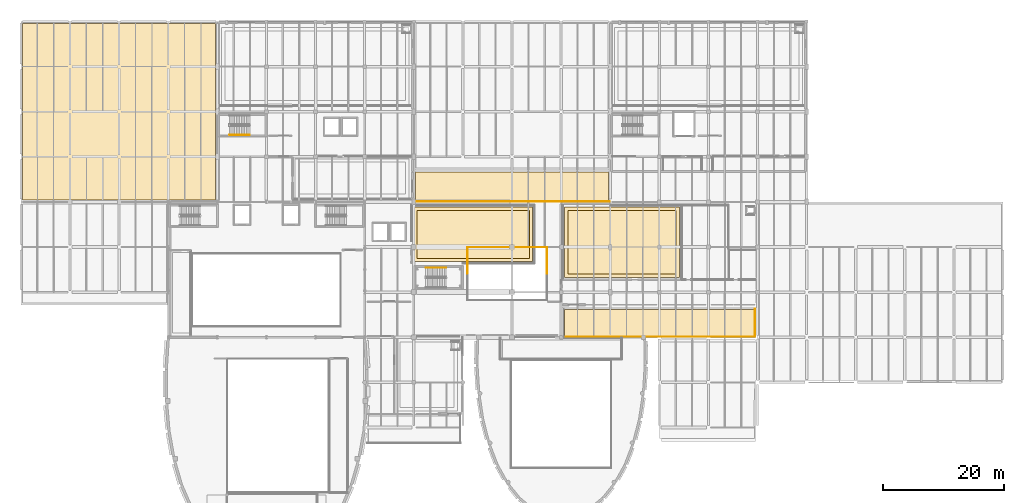
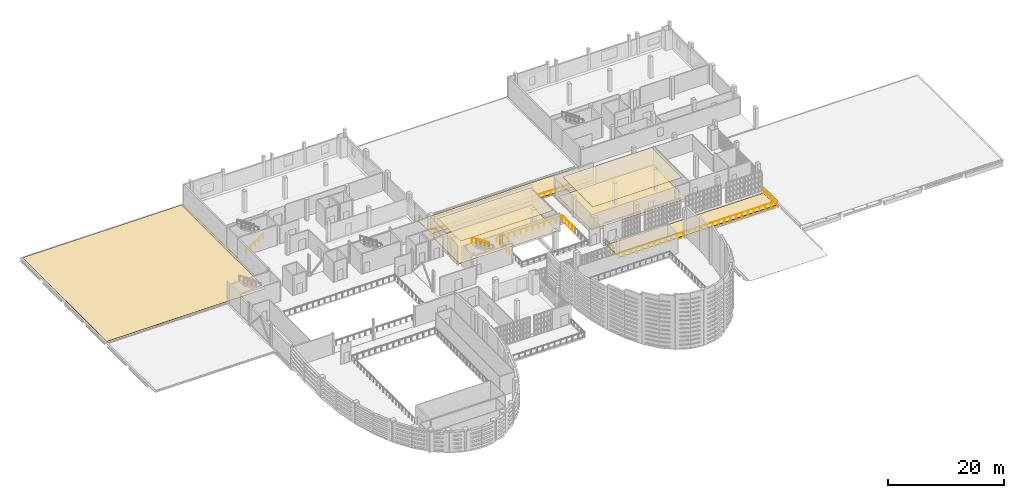
# One storey, part 69 of 73: 7 coverings, 6 railings.
"""IFC4 building model written with IfcOpenShell, lengths in metres."""

from ifc_helpers import new_model, si_unit, direction, frame, origin, origin_2d, place, context, subcontext, project, spatial, polyline, circle, outline, extrude, material, layer, layer_set, type_object, element, save


model = new_model("IFC4")

# Units and contexts
model_context = context("Model", 3, precision=1e-05, world=origin(), true_north=direction((0.0, 1.0)))
body_context = subcontext(model_context, "Body", "Model", "MODEL_VIEW")
ifc_project = project(units=[si_unit("LENGTHUNIT", "METRE"), si_unit("AREAUNIT", "SQUARE_METRE"), si_unit("VOLUMEUNIT", "CUBIC_METRE"), si_unit("PLANEANGLEUNIT", "RADIAN"), si_unit("MASSUNIT", "GRAM", prefix="KILO")], contexts=[model_context])

# Site, building, storey
site_placement = place(None, origin())
site = spatial("IfcSite", under=ifc_project, at=site_placement, CompositionType="ELEMENT")
building_placement = place(site_placement, origin())
building = spatial("IfcBuilding", under=site, at=building_placement, Name="Kaelora Sail Theatre", CompositionType="ELEMENT")
storey_placement = place(building_placement, frame((0.0, 0.0, 10.199951171875)))
storey = spatial("IfcBuildingStorey", under=building, at=storey_placement, Name="L02", CompositionType="ELEMENT", Elevation=10.199951171875)

# Coverings
ifc_material_1 = material(Name="Micro-perforated timber acoustic reflector", Category="wood")
ifc_layer_1 = layer(ifc_material_1, 0.050048828125)
ifc_layer_set_1 = layer_set([ifc_layer_1], Name="Micro-perforated timber acoustic reflector")
covering_type_1 = type_object("IfcCoveringType", Name="ARC-COV-CLG-AC-50", PredefinedType="CEILING", material=ifc_layer_set_1)
covering_1_placement = place(storey_placement, frame((0.0, 0.0, 4.255126953125)))
element("IfcCovering", 1, at=covering_1_placement, inside=storey, type_object=covering_type_1, Name="Acoustic ceiling L02-FOY-BAR", PredefinedType="CEILING", context=body_context, shape_type="SweptSolid", body=[
    extrude(outline(polyline([(91.75, 71.449951171875), (109.550048828125, 71.449951171875), (109.550048828125, 81.949951171875), (91.75, 81.949951171875), (91.75, 71.449951171875)])), origin(), (0.0, 0.0, 1.0), 0.0498046875),
])
ifc_material_2 = material(Name="Suspended acoustic mineral-fibre ceiling", Category="gypsum")
ifc_layer_2 = layer(ifc_material_2, 0.034912109375)
ifc_layer_set_2 = layer_set([ifc_layer_2], Name="Suspended acoustic mineral-fibre ceiling")
covering_type_2 = type_object("IfcCoveringType", Name="ARC-COV-CLG-GYP-35", PredefinedType="CEILING", material=ifc_layer_set_2)
covering_2_placement = place(storey_placement, frame((0.0, 0.0, 4.215087890625)))
element("IfcCovering", 2, at=covering_2_placement, inside=storey, type_object=covering_type_2, Name="Acoustic ceiling L02-FOY-SALON", PredefinedType="CEILING", context=body_context, shape_type="SweptSolid", body=[
    extrude(outline(polyline([(66.85009765625, 74.050048828125), (85.35009765625, 74.050048828125), (85.35009765625, 81.949951171875), (66.85009765625, 81.949951171875), (66.85009765625, 74.050048828125)])), origin(), (0.0, 0.0, 1.0), 0.034912109375),
])
ifc_material_3 = material(Name="Polished basalt-terrazzo foyer flooring", Category="masonry")
ifc_layer_3 = layer(ifc_material_3, 0.031982421875)
ifc_layer_set_3 = layer_set([ifc_layer_3], Name="Polished basalt-terrazzo foyer flooring")
covering_type_3 = type_object("IfcCoveringType", Name="ARC-COV-FLR-TRZ-32", PredefinedType="FLOORING", material=ifc_layer_set_3)
covering_3_placement = place(storey_placement, origin())
element("IfcCovering", 3, at=covering_3_placement, inside=storey, type_object=covering_type_3, Name="Architectural flooring L02-FOY-SALON", PredefinedType="FLOORING", context=body_context, shape_type="SweptSolid", body=[
    extrude(outline(polyline([(66.300048828125, 73.5), (85.89990234375, 73.5), (85.89990234375, 82.5), (66.300048828125, 82.5), (66.300048828125, 73.5)])), origin(), (0.0, 0.0, 1.0), 0.031982421875),
])
covering_4_placement = place(storey_placement, origin())
element("IfcCovering", 4, at=covering_4_placement, inside=storey, type_object=covering_type_3, Name="Architectural flooring L02-FOY-BAR", PredefinedType="FLOORING", context=body_context, shape_type="SweptSolid", body=[
    extrude(outline(polyline([(91.199951171875, 70.89990234375), (110.10009765625, 70.89990234375), (110.10009765625, 82.5), (91.199951171875, 82.5), (91.199951171875, 70.89990234375)])), origin(), (0.0, 0.0, 1.0), 0.031982421875),
])
ifc_material_4 = material(Name="Planted roof garden and green foliage terrace bed", Category="earth")
ifc_layer_4 = layer(ifc_material_4, 0.1201171875)
ifc_layer_set_4 = layer_set([ifc_layer_4], Name="Planted roof garden and green foliage terrace bed")
covering_type_4 = type_object("IfcCoveringType", Name="ARC-COV-GRN", PredefinedType="ROOFING", material=ifc_layer_set_4)
covering_5_placement = place(storey_placement, origin())
element("IfcCovering", 5, at=covering_5_placement, inside=storey, type_object=covering_type_4, Name="Second Step East Interval Bar Planted Terrace Planted Garden Bed", PredefinedType="ROOFING", context=body_context, shape_type="SweptSolid", body=[
    extrude(outline(polyline([(91.199951171875, 61.284912109375), (122.39990234375, 61.284912109375), (122.39990234375, 65.56494140625), (91.199951171875, 65.56494140625), (91.199951171875, 61.284912109375)])), origin(), (0.0, 0.0, 1.0), 0.1201171875),
])
covering_6_placement = place(storey_placement, origin())
element("IfcCovering", 6, at=covering_6_placement, inside=storey, type_object=covering_type_4, Name="Third Step Central Courtyard Amphitheatre Roof Garden Planted Garden Bed", PredefinedType="ROOFING", context=body_context, shape_type="SweptSolid", body=[
    extrude(outline(polyline([(66.56005859375, 83.60498046875), (98.43994140625, 83.60498046875), (98.43994140625, 88.300048828125), (66.56005859375, 88.300048828125), (66.56005859375, 83.60498046875)])), origin(), (0.0, 0.0, 1.0), 0.1201171875),
])
ifc_material_5 = material(Name="Standing-seam titanium-zinc and TPO membrane", Category="metal")
ifc_layer_5 = layer(ifc_material_5, 0.044921875)
ifc_layer_set_5 = layer_set([ifc_layer_5], Name="Standing-seam titanium-zinc and TPO membrane")
covering_type_5 = type_object("IfcCoveringType", Name="ARC-COV-RFM", PredefinedType="ROOFING", material=ifc_layer_set_5)
covering_7_placement = place(storey_placement, origin())
element("IfcCovering", 7, at=covering_7_placement, inside=storey, type_object=covering_type_5, Name="Standing-seam titanium-zinc roofing NW1", PredefinedType="ROOFING", context=body_context, shape_type="SweptSolid", body=[
    extrude(outline(polyline([(1.800048828125, 83.659912109375), (33.570068359375, 83.659912109375), (33.570068359375, 112.800048828125), (1.800048828125, 112.800048828125), (1.800048828125, 83.659912109375)])), origin(), (0.0, 0.0, 1.0), 0.045166015625),
])

# Railings
ifc_material_6 = material(Name="Acoustic bronze and laminated glass balcony balustrade", Category="glass")
railing_type_1 = type_object("IfcRailingType", Name="ARC-RL-BAL", PredefinedType="BALUSTRADE", material=ifc_material_6)
railing_1_placement = place(storey_placement, frame((88.260009765625, 71.550048828125, 0.0)))
element("IfcRailing", 8, at=railing_1_placement, inside=storey, type_object=railing_type_1, Name="Interior void balustrade ATRIUM-2 north", PredefinedType="BALUSTRADE", context=body_context, shape_type="SweptSolid", body=[
    extrude(circle(Radius=0.02392578125, at=origin_2d()), frame((0.0, 0.0, 1.076171875), z_axis=(0.0, 1.0, 0.0), x_axis=(-1.0, 0.0, 0.0)), (0.0, 0.0, 1.0), 4.31005859375),
    extrude(circle(Radius=0.02392578125, at=origin_2d()), frame((0.0, 4.31005859375, 1.076171875), z_axis=(-1.0, 0.0, 0.0), x_axis=(0.0, -1.0, 0.0)), (0.0, 0.0, 1.0), 13.1201171875),
    extrude(circle(Radius=0.02392578125, at=origin_2d()), frame((-13.1201171875, 4.31005859375, 1.076171875), z_axis=(0.0, -1.0, 0.0), x_axis=(1.0, 0.0, 0.0)), (0.0, 0.0, 1.0), 4.31005859375),
    extrude(circle(Radius=0.02099609375, at=origin_2d()), origin(), (0.0, 0.0, 1.0), 1.052001953125),
    extrude(circle(Radius=0.02099609375, at=origin_2d()), frame((0.0, 1.07763671875, 0.0)), (0.0, 0.0, 1.0), 1.052001953125),
    extrude(circle(Radius=0.02099609375, at=origin_2d()), frame((0.0, 2.155029296875, 0.0)), (0.0, 0.0, 1.0), 1.052001953125),
    extrude(circle(Radius=0.02099609375, at=origin_2d()), frame((0.0, 3.232421875, 0.0)), (0.0, 0.0, 1.0), 1.052001953125),
    extrude(circle(Radius=0.02099609375, at=origin_2d()), frame((0.0, 4.31005859375, 0.0)), (0.0, 0.0, 1.0), 1.052001953125),
    extrude(circle(Radius=0.02099609375, at=origin_2d()), frame((-1.192626953125, 4.31005859375, 0.0)), (0.0, 0.0, 1.0), 1.052001953125),
    extrude(circle(Radius=0.02099609375, at=origin_2d()), frame((-2.385498046875, 4.31005859375, 0.0)), (0.0, 0.0, 1.0), 1.052001953125),
    extrude(circle(Radius=0.02099609375, at=origin_2d()), frame((-3.578125, 4.31005859375, 0.0)), (0.0, 0.0, 1.0), 1.052001953125),
    extrude(circle(Radius=0.02099609375, at=origin_2d()), frame((-4.77099609375, 4.31005859375, 0.0)), (0.0, 0.0, 1.0), 1.052001953125),
    extrude(circle(Radius=0.02099609375, at=origin_2d()), frame((-5.963623046875, 4.31005859375, 0.0)), (0.0, 0.0, 1.0), 1.052001953125),
    extrude(circle(Radius=0.02099609375, at=origin_2d()), frame((-7.156494140625, 4.31005859375, 0.0)), (0.0, 0.0, 1.0), 1.052001953125),
    extrude(circle(Radius=0.02099609375, at=origin_2d()), frame((-8.34912109375, 4.31005859375, 0.0)), (0.0, 0.0, 1.0), 1.052001953125),
    extrude(circle(Radius=0.02099609375, at=origin_2d()), frame((-9.5419921875, 4.31005859375, 0.0)), (0.0, 0.0, 1.0), 1.052001953125),
    extrude(circle(Radius=0.02099609375, at=origin_2d()), frame((-10.734619140625, 4.31005859375, 0.0)), (0.0, 0.0, 1.0), 1.052001953125),
    extrude(circle(Radius=0.02099609375, at=origin_2d()), frame((-11.927490234375, 4.31005859375, 0.0)), (0.0, 0.0, 1.0), 1.052001953125),
    extrude(circle(Radius=0.02099609375, at=origin_2d()), frame((-13.1201171875, 4.31005859375, 0.0)), (0.0, 0.0, 1.0), 1.052001953125),
    extrude(circle(Radius=0.02099609375, at=origin_2d()), frame((-13.1201171875, 3.232421875, 0.0)), (0.0, 0.0, 1.0), 1.052001953125),
    extrude(circle(Radius=0.02099609375, at=origin_2d()), frame((-13.1201171875, 2.155029296875, 0.0)), (0.0, 0.0, 1.0), 1.052001953125),
    extrude(circle(Radius=0.02099609375, at=origin_2d()), frame((-13.1201171875, 1.07763671875, 0.0)), (0.0, 0.0, 1.0), 1.052001953125),
    extrude(circle(Radius=0.02099609375, at=origin_2d()), frame((-13.1201171875, 0.0, 0.0)), (0.0, 0.0, 1.0), 1.052001953125),
])
ifc_material_7 = material(Name="Brushed stainless steel 316L tubular handrail", Category="steel")
railing_type_2 = type_object("IfcRailingType", Name="ARC-RL-HND", PredefinedType="HANDRAIL", material=ifc_material_7)
railing_2_placement = place(storey_placement, frame((35.89990234375, 94.39990234375, 0.173095703125)))
element("IfcRailing", 9, at=railing_2_placement, inside=storey, type_object=railing_type_2, Name="L02 ST-K2 stair handrail 1", PredefinedType="HANDRAIL", context=body_context, shape_type="SweptSolid", body=[
    extrude(circle(Radius=0.02392578125, at=origin_2d()), frame((0.0, 0.0, 0.8759765625), z_axis=(0.850623216509, 0.0, 0.525775754039), x_axis=(0.0, 1.0, 0.0)), (0.0, 0.0, 1.0), 3.9501953125),
    extrude(circle(Radius=0.02099609375, at=origin_2d()), origin(), (0.0, 0.0, 1.0), 0.851806640625),
    extrude(circle(Radius=0.02099609375, at=origin_2d()), frame((0.840087890625, 0.0, 0.519287109375)), (0.0, 0.0, 1.0), 0.851806640625),
    extrude(circle(Radius=0.02099609375, at=origin_2d()), frame((1.68017578125, 0.0, 1.03857421875)), (0.0, 0.0, 1.0), 0.851806640625),
    extrude(circle(Radius=0.02099609375, at=origin_2d()), frame((2.52001953125, 0.0, 1.5576171875)), (0.0, 0.0, 1.0), 0.851806640625),
    extrude(circle(Radius=0.02099609375, at=origin_2d()), frame((3.360107421875, 0.0, 2.076904296875)), (0.0, 0.0, 1.0), 0.851806640625),
])
railing_3_placement = place(storey_placement, frame((71.6298828125, 72.5, 2.423095703125)))
element("IfcRailing", 10, at=railing_3_placement, inside=storey, type_object=railing_type_2, Name="L02 ST-F1 stair handrail 2", PredefinedType="HANDRAIL", context=body_context, shape_type="SweptSolid", body=[
    extrude(circle(Radius=0.02392578125, at=origin_2d()), frame((0.0, 0.0, 0.8759765625), z_axis=(-0.850606129759, 0.0, 0.525803396734), x_axis=(0.0, -1.0, 0.0)), (0.0, 0.0, 1.0), 3.949951171875),
    extrude(circle(Radius=0.02099609375, at=origin_2d()), origin(), (0.0, 0.0, 1.0), 0.851806640625),
    extrude(circle(Radius=0.02099609375, at=origin_2d()), frame((-0.83984375, 0.0, 0.519287109375)), (0.0, 0.0, 1.0), 0.851806640625),
    extrude(circle(Radius=0.02099609375, at=origin_2d()), frame((-1.679931640625, 0.0, 1.03857421875)), (0.0, 0.0, 1.0), 0.851806640625),
    extrude(circle(Radius=0.02099609375, at=origin_2d()), frame((-2.52001953125, 0.0, 1.5576171875)), (0.0, 0.0, 1.0), 0.851806640625),
    extrude(circle(Radius=0.02099609375, at=origin_2d()), frame((-3.35986328125, 0.0, 2.076904296875)), (0.0, 0.0, 1.0), 0.851806640625),
])
ifc_material_8 = material(Name="Stainless steel 316L and laminated glass balustrade", Category="steel")
railing_type_3 = type_object("IfcRailingType", Name="ARC-RL-TER", PredefinedType="GUARDRAIL", material=ifc_material_8)
railing_4_placement = place(storey_placement, frame((91.010009765625, 61.114990234375, 0.0)))
element("IfcRailing", 11, at=railing_4_placement, inside=storey, type_object=railing_type_3, Name="Second Step East Interval Bar Planted Terrace Balustrade S", PredefinedType="GUARDRAIL", context=body_context, shape_type="SweptSolid", body=[
    extrude(circle(Radius=0.02392578125, at=origin_2d()), frame((0.0, 0.0, 1.076171875), z_axis=(1.0, 0.0, 0.0), x_axis=(0.0, 1.0, 0.0)), (0.0, 0.0, 1.0), 31.580078125),
    extrude(circle(Radius=0.02099609375, at=origin_2d()), origin(), (0.0, 0.0, 1.0), 1.052001953125),
    extrude(circle(Radius=0.02099609375, at=origin_2d()), frame((1.169677734375, 0.0, 0.0)), (0.0, 0.0, 1.0), 1.052001953125),
    extrude(circle(Radius=0.02099609375, at=origin_2d()), frame((2.33935546875, 0.0, 0.0)), (0.0, 0.0, 1.0), 1.052001953125),
    extrude(circle(Radius=0.02099609375, at=origin_2d()), frame((3.5087890625, 0.0, 0.0)), (0.0, 0.0, 1.0), 1.052001953125),
    extrude(circle(Radius=0.02099609375, at=origin_2d()), frame((4.678466796875, 0.0, 0.0)), (0.0, 0.0, 1.0), 1.052001953125),
    extrude(circle(Radius=0.02099609375, at=origin_2d()), frame((5.84814453125, 0.0, 0.0)), (0.0, 0.0, 1.0), 1.052001953125),
    extrude(circle(Radius=0.02099609375, at=origin_2d()), frame((7.017822265625, 0.0, 0.0)), (0.0, 0.0, 1.0), 1.052001953125),
    extrude(circle(Radius=0.02099609375, at=origin_2d()), frame((8.1875, 0.0, 0.0)), (0.0, 0.0, 1.0), 1.052001953125),
    extrude(circle(Radius=0.02099609375, at=origin_2d()), frame((9.357177734375, 0.0, 0.0)), (0.0, 0.0, 1.0), 1.052001953125),
    extrude(circle(Radius=0.02099609375, at=origin_2d()), frame((10.526611328125, 0.0, 0.0)), (0.0, 0.0, 1.0), 1.052001953125),
    extrude(circle(Radius=0.02099609375, at=origin_2d()), frame((11.6962890625, 0.0, 0.0)), (0.0, 0.0, 1.0), 1.052001953125),
    extrude(circle(Radius=0.02099609375, at=origin_2d()), frame((12.865966796875, 0.0, 0.0)), (0.0, 0.0, 1.0), 1.052001953125),
    extrude(circle(Radius=0.02099609375, at=origin_2d()), frame((14.03564453125, 0.0, 0.0)), (0.0, 0.0, 1.0), 1.052001953125),
    extrude(circle(Radius=0.02099609375, at=origin_2d()), frame((15.205322265625, 0.0, 0.0)), (0.0, 0.0, 1.0), 1.052001953125),
    extrude(circle(Radius=0.02099609375, at=origin_2d()), frame((16.374755859375, 0.0, 0.0)), (0.0, 0.0, 1.0), 1.052001953125),
    extrude(circle(Radius=0.02099609375, at=origin_2d()), frame((17.54443359375, 0.0, 0.0)), (0.0, 0.0, 1.0), 1.052001953125),
    extrude(circle(Radius=0.02099609375, at=origin_2d()), frame((18.714111328125, 0.0, 0.0)), (0.0, 0.0, 1.0), 1.052001953125),
    extrude(circle(Radius=0.02099609375, at=origin_2d()), frame((19.8837890625, 0.0, 0.0)), (0.0, 0.0, 1.0), 1.052001953125),
    extrude(circle(Radius=0.02099609375, at=origin_2d()), frame((21.053466796875, 0.0, 0.0)), (0.0, 0.0, 1.0), 1.052001953125),
    extrude(circle(Radius=0.02099609375, at=origin_2d()), frame((22.222900390625, 0.0, 0.0)), (0.0, 0.0, 1.0), 1.052001953125),
    extrude(circle(Radius=0.02099609375, at=origin_2d()), frame((23.392578125, 0.0, 0.0)), (0.0, 0.0, 1.0), 1.052001953125),
    extrude(circle(Radius=0.02099609375, at=origin_2d()), frame((24.562255859375, 0.0, 0.0)), (0.0, 0.0, 1.0), 1.052001953125),
    extrude(circle(Radius=0.02099609375, at=origin_2d()), frame((25.73193359375, 0.0, 0.0)), (0.0, 0.0, 1.0), 1.052001953125),
    extrude(circle(Radius=0.02099609375, at=origin_2d()), frame((26.901611328125, 0.0, 0.0)), (0.0, 0.0, 1.0), 1.052001953125),
    extrude(circle(Radius=0.02099609375, at=origin_2d()), frame((28.0712890625, 0.0, 0.0)), (0.0, 0.0, 1.0), 1.052001953125),
    extrude(circle(Radius=0.02099609375, at=origin_2d()), frame((29.24072265625, 0.0, 0.0)), (0.0, 0.0, 1.0), 1.052001953125),
    extrude(circle(Radius=0.02099609375, at=origin_2d()), frame((30.410400390625, 0.0, 0.0)), (0.0, 0.0, 1.0), 1.052001953125),
    extrude(circle(Radius=0.02099609375, at=origin_2d()), frame((31.580078125, 0.0, 0.0)), (0.0, 0.0, 1.0), 1.052001953125),
])
railing_5_placement = place(storey_placement, frame((122.570068359375, 61.114990234375, 0.0)))
element("IfcRailing", 12, at=railing_5_placement, inside=storey, type_object=railing_type_3, Name="Second Step East Interval Bar Planted Terrace Balustrade E", PredefinedType="GUARDRAIL", context=body_context, shape_type="SweptSolid", body=[
    extrude(circle(Radius=0.02392578125, at=origin_2d()), frame((0.0, 0.0, 1.076171875), z_axis=(0.0, 1.0, 0.0), x_axis=(-1.0, 0.0, 0.0)), (0.0, 0.0, 1.0), 4.6201171875),
    extrude(circle(Radius=0.02099609375, at=origin_2d()), origin(), (0.0, 0.0, 1.0), 1.052001953125),
    extrude(circle(Radius=0.02099609375, at=origin_2d()), frame((0.0, 1.155029296875, 0.0)), (0.0, 0.0, 1.0), 1.052001953125),
    extrude(circle(Radius=0.02099609375, at=origin_2d()), frame((0.0, 2.31005859375, 0.0)), (0.0, 0.0, 1.0), 1.052001953125),
    extrude(circle(Radius=0.02099609375, at=origin_2d()), frame((0.0, 3.465087890625, 0.0)), (0.0, 0.0, 1.0), 1.052001953125),
    extrude(circle(Radius=0.02099609375, at=origin_2d()), frame((0.0, 4.6201171875, 0.0)), (0.0, 0.0, 1.0), 1.052001953125),
])
railing_6_placement = place(storey_placement, frame((66.3701171875, 83.43505859375, 0.0)))
element("IfcRailing", 13, at=railing_6_placement, inside=storey, type_object=railing_type_3, Name="Third Step Central Courtyard Amphitheatre Roof Garden Balustrade S", PredefinedType="GUARDRAIL", context=body_context, shape_type="SweptSolid", body=[
    extrude(circle(Radius=0.02392578125, at=origin_2d()), frame((0.0, 0.0, 1.076171875), z_axis=(1.0, 0.0, 0.0), x_axis=(0.0, 1.0, 0.0)), (0.0, 0.0, 1.0), 32.259765625),
    extrude(circle(Radius=0.02099609375, at=origin_2d()), origin(), (0.0, 0.0, 1.0), 1.052001953125),
    extrude(circle(Radius=0.02099609375, at=origin_2d()), frame((1.19482421875, 0.0, 0.0)), (0.0, 0.0, 1.0), 1.052001953125),
    extrude(circle(Radius=0.02099609375, at=origin_2d()), frame((2.3896484375, 0.0, 0.0)), (0.0, 0.0, 1.0), 1.052001953125),
    extrude(circle(Radius=0.02099609375, at=origin_2d()), frame((3.58447265625, 0.0, 0.0)), (0.0, 0.0, 1.0), 1.052001953125),
    extrude(circle(Radius=0.02099609375, at=origin_2d()), frame((4.779296875, 0.0, 0.0)), (0.0, 0.0, 1.0), 1.052001953125),
    extrude(circle(Radius=0.02099609375, at=origin_2d()), frame((5.97412109375, 0.0, 0.0)), (0.0, 0.0, 1.0), 1.052001953125),
    extrude(circle(Radius=0.02099609375, at=origin_2d()), frame((7.1689453125, 0.0, 0.0)), (0.0, 0.0, 1.0), 1.052001953125),
    extrude(circle(Radius=0.02099609375, at=origin_2d()), frame((8.363525390625, 0.0, 0.0)), (0.0, 0.0, 1.0), 1.052001953125),
    extrude(circle(Radius=0.02099609375, at=origin_2d()), frame((9.558349609375, 0.0, 0.0)), (0.0, 0.0, 1.0), 1.052001953125),
    extrude(circle(Radius=0.02099609375, at=origin_2d()), frame((10.753173828125, 0.0, 0.0)), (0.0, 0.0, 1.0), 1.052001953125),
    extrude(circle(Radius=0.02099609375, at=origin_2d()), frame((11.947998046875, 0.0, 0.0)), (0.0, 0.0, 1.0), 1.052001953125),
    extrude(circle(Radius=0.02099609375, at=origin_2d()), frame((13.142822265625, 0.0, 0.0)), (0.0, 0.0, 1.0), 1.052001953125),
    extrude(circle(Radius=0.02099609375, at=origin_2d()), frame((14.337646484375, 0.0, 0.0)), (0.0, 0.0, 1.0), 1.052001953125),
    extrude(circle(Radius=0.02099609375, at=origin_2d()), frame((15.532470703125, 0.0, 0.0)), (0.0, 0.0, 1.0), 1.052001953125),
    extrude(circle(Radius=0.02099609375, at=origin_2d()), frame((16.727294921875, 0.0, 0.0)), (0.0, 0.0, 1.0), 1.052001953125),
    extrude(circle(Radius=0.02099609375, at=origin_2d()), frame((17.922119140625, 0.0, 0.0)), (0.0, 0.0, 1.0), 1.052001953125),
    extrude(circle(Radius=0.02099609375, at=origin_2d()), frame((19.116943359375, 0.0, 0.0)), (0.0, 0.0, 1.0), 1.052001953125),
    extrude(circle(Radius=0.02099609375, at=origin_2d()), frame((20.311767578125, 0.0, 0.0)), (0.0, 0.0, 1.0), 1.052001953125),
    extrude(circle(Radius=0.02099609375, at=origin_2d()), frame((21.506591796875, 0.0, 0.0)), (0.0, 0.0, 1.0), 1.052001953125),
    extrude(circle(Radius=0.02099609375, at=origin_2d()), frame((22.701416015625, 0.0, 0.0)), (0.0, 0.0, 1.0), 1.052001953125),
    extrude(circle(Radius=0.02099609375, at=origin_2d()), frame((23.896240234375, 0.0, 0.0)), (0.0, 0.0, 1.0), 1.052001953125),
    extrude(circle(Radius=0.02099609375, at=origin_2d()), frame((25.0908203125, 0.0, 0.0)), (0.0, 0.0, 1.0), 1.052001953125),
    extrude(circle(Radius=0.02099609375, at=origin_2d()), frame((26.28564453125, 0.0, 0.0)), (0.0, 0.0, 1.0), 1.052001953125),
    extrude(circle(Radius=0.02099609375, at=origin_2d()), frame((27.48046875, 0.0, 0.0)), (0.0, 0.0, 1.0), 1.052001953125),
    extrude(circle(Radius=0.02099609375, at=origin_2d()), frame((28.67529296875, 0.0, 0.0)), (0.0, 0.0, 1.0), 1.052001953125),
    extrude(circle(Radius=0.02099609375, at=origin_2d()), frame((29.8701171875, 0.0, 0.0)), (0.0, 0.0, 1.0), 1.052001953125),
    extrude(circle(Radius=0.02099609375, at=origin_2d()), frame((31.06494140625, 0.0, 0.0)), (0.0, 0.0, 1.0), 1.052001953125),
    extrude(circle(Radius=0.02099609375, at=origin_2d()), frame((32.259765625, 0.0, 0.0)), (0.0, 0.0, 1.0), 1.052001953125),
])

save(model, "model.ifc")
